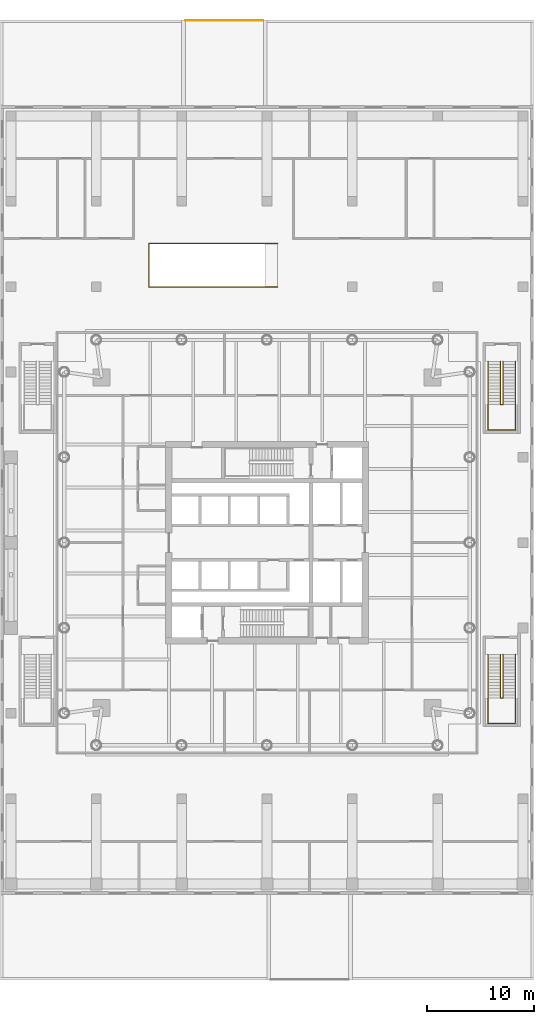
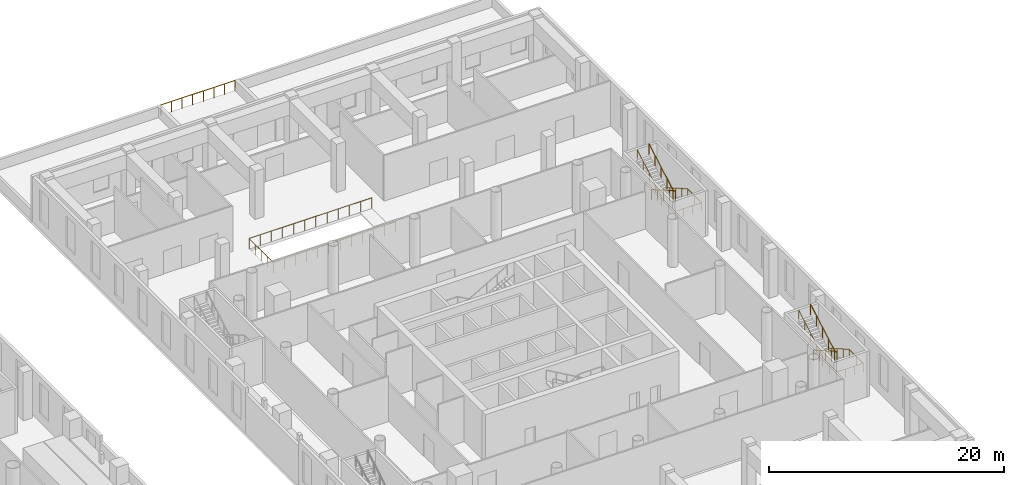
# One storey, part 25 of 26: 6 railings.
"""IFC4 building model written with IfcOpenShell, lengths in metres."""

import ifcopenshell
import ifcopenshell.guid

model = None  # the IFC model being written
_history = None  # IfcOwnerHistory: only IFC2X3 demands one
_inside = {}  # id of a spatial element -> (the spatial element, [elements in it])
_under = {}  # id of a project, library or spatial element -> (it, [spatial elements below it])
_declared = {}  # id of a project -> (the project, [libraries it declares])
_typed = {}  # id of a type object -> (the type object, [elements of that type])
_made_of = {}  # id of a material, layer set ... -> (it, [elements and type objects made of it])


def new_model(schema):
    """Start an empty IFC model of exactly this schema.

    Asked for "IFC4X3", IfcOpenShell would pick the latest addendum, in which some entities
    have other attributes; the version numbers below select the first issue.
    IFC2X3 requires an IfcOwnerHistory on every rooted entity: one is made here for all.
    """
    global model, _history
    if schema == "IFC4X3":
        model = ifcopenshell.file(schema_version=(4, 3, 0, 0))
    else:
        model = ifcopenshell.file(schema=schema)
    _inside.clear()
    _under.clear()
    _declared.clear()
    _typed.clear()
    _made_of.clear()
    _history = None
    if model.schema == "IFC2X3":
        org = make("IfcOrganization", Name="unknown")
        user = make(
            "IfcPersonAndOrganization",
            ThePerson=make("IfcPerson", FamilyName="unknown"),
            TheOrganization=org,
        )
        app = make(
            "IfcApplication",
            ApplicationDeveloper=org,
            Version="unknown",
            ApplicationFullName="unknown",
            ApplicationIdentifier="unknown",
        )
        _history = make(
            "IfcOwnerHistory",
            OwningUser=user,
            OwningApplication=app,
            ChangeAction="ADDED",
            CreationDate=0,
        )
    return model


def make(cls, **values):
    """One entity of the class cls with the attributes given. An attribute that is None is left unset."""
    return model.create_entity(
        cls, **{name: value for name, value in values.items() if value is not None}
    )


def rooted(cls, **values):
    """An entity with a GlobalId (a new one), such as an element, a storey or a relation."""
    return make(cls, GlobalId=ifcopenshell.guid.new(), OwnerHistory=_history, **values)


def si_unit(unit_type, name, prefix=None):
    """IfcSIUnit, for example si_unit("LENGTHUNIT", "METRE", prefix="MILLI")."""
    return make("IfcSIUnit", UnitType=unit_type, Prefix=prefix, Name=name)


def assignment(units):
    """IfcUnitAssignment: the units of a project."""
    return None if units is None else make("IfcUnitAssignment", Units=units)


def point(xyz):
    """IfcCartesianPoint."""
    return None if xyz is None else make("IfcCartesianPoint", Coordinates=xyz)


def direction(xyz):
    """IfcDirection."""
    return None if xyz is None else make("IfcDirection", DirectionRatios=xyz)


def frame(location, z_axis=None, x_axis=None):
    """IfcAxis2Placement3D, a coordinate frame: its origin and axes. An axis left out is left unset."""
    return make(
        "IfcAxis2Placement3D",
        Location=point(location),
        Axis=direction(z_axis),
        RefDirection=direction(x_axis),
    )


def frame_2d(location, x_axis=None):
    """IfcAxis2Placement2D, a coordinate frame in the plane: its origin and x axis."""
    return make(
        "IfcAxis2Placement2D", Location=point(location), RefDirection=direction(x_axis)
    )


def origin():
    """The frame at (0, 0, 0) with its axes left unset."""
    return frame((0.0, 0.0, 0.0))


def origin_2d():
    """The frame at (0, 0) in the plane with its x axis left unset."""
    return frame_2d((0.0, 0.0))


def place(relative_to, where):
    """IfcLocalPlacement: puts the frame where relative to a parent placement (None: the world)."""
    return make(
        "IfcLocalPlacement", PlacementRelTo=relative_to, RelativePlacement=where
    )


def context(
    kind, dimensions, precision=None, world=None, true_north=None, identifier=None
):
    """IfcGeometricRepresentationContext, for example the 3D "Model" context."""
    return make(
        "IfcGeometricRepresentationContext",
        ContextIdentifier=identifier,
        ContextType=kind,
        CoordinateSpaceDimension=dimensions,
        Precision=precision,
        WorldCoordinateSystem=world,
        TrueNorth=true_north,
    )


def subcontext(parent, identifier, kind, view, scale=None):
    """IfcGeometricRepresentationSubContext, for example "Body" below "Model"."""
    return make(
        "IfcGeometricRepresentationSubContext",
        ContextIdentifier=identifier,
        ContextType=kind,
        ParentContext=parent,
        TargetScale=scale,
        TargetView=view,
    )


def project(units=None, contexts=None):
    """IfcProject with its units and contexts."""
    return rooted(
        "IfcProject",
        Name="project",
        RepresentationContexts=contexts,
        UnitsInContext=assignment(units),
    )


def spatial(cls, under=None, at=None, **own):
    """A site, building, storey or space (cls), placed at a placement, below another one or the project."""
    s = rooted(cls, ObjectPlacement=at, **own)
    if under is not None:
        _under.setdefault(under.id(), (under, []))[1].append(s)
    return s


def profile(cls, at=None, kind="AREA", **sizes):
    """A parametric profile (cls). Its sizes go by their IFC names, for example OverallWidth=200.0."""
    return make(cls, ProfileType=kind, Position=at, **sizes)


def circle(**sizes):
    """IfcCircleProfileDef."""
    return profile("IfcCircleProfileDef", **sizes)


def extrude(swept, where, along, depth):
    """IfcExtrudedAreaSolid: the profile swept, set in the frame where, extruded along a direction by depth."""
    return make(
        "IfcExtrudedAreaSolid",
        SweptArea=swept,
        Position=where,
        ExtrudedDirection=direction(along),
        Depth=depth,
    )


def shape(context_of_items, identifier, shape_type, items):
    """IfcShapeRepresentation: the items that make up one representation, for example the "Body"."""
    return make(
        "IfcShapeRepresentation",
        ContextOfItems=context_of_items,
        RepresentationIdentifier=identifier,
        RepresentationType=shape_type,
        Items=items,
    )


def material(Name=None, Category=None):
    """IfcMaterial."""
    return make("IfcMaterial", Name=Name, Category=Category)


def made_of(thing, what):
    """Note that an element or type object is made of a material, layer set ...; save() writes the relation."""
    if what is not None:
        _made_of.setdefault(what.id(), (what, []))[1].append(thing)
    return thing


def type_object(cls, material=None, **own):
    """A type object (cls), such as IfcWallType, which elements share."""
    return made_of(rooted(cls, **own), material)


def element(
    cls,
    number,
    at=None,
    inside=None,
    cuts=None,
    type_object=None,
    material=None,
    context=None,
    identifier="Body",
    shape_type=None,
    held_by="IfcProductDefinitionShape",
    body=None,
    shapes=None,
    **own,
):
    """One element of the class cls, such as IfcWall. Its Tag is "e" and its number.

    at: its placement. inside: the storey or other place that contains it. cuts: it is an
    opening in that element (IfcRelVoidsElement). A single representation is given by context,
    identifier, shape_type and body (its items); several are given by shapes. held_by: the class
    of the entity that holds the representations. save() writes the other relations.
    """
    e = rooted(cls, Tag="e%d" % number, ObjectPlacement=at, **own)
    if body is not None:
        shapes = [shape(context, identifier, shape_type, body)]
    if shapes is not None:
        e.Representation = make(held_by, Representations=shapes)
    if inside is not None:
        _inside.setdefault(inside.id(), (inside, []))[1].append(e)
    if cuts is not None:
        rooted(
            "IfcRelVoidsElement", RelatingBuildingElement=cuts, RelatedOpeningElement=e
        )
    if type_object is not None:
        _typed.setdefault(type_object.id(), (type_object, []))[1].append(e)
    return made_of(e, material)


def aggregate(whole, parts):
    """IfcRelAggregates: a whole, such as a stair, and the parts it consists of."""
    return rooted("IfcRelAggregates", RelatingObject=whole, RelatedObjects=parts)


def save(model, path):
    """Write the relations noted so far, then the file.

    IfcRelAggregates (storeys below a building ...), IfcRelContainedInSpatialStructure (elements
    in a storey), IfcRelDefinesByType, IfcRelAssociatesMaterial and IfcRelDeclares: one each for
    every whole, place, type object, material and project.
    """
    for whole, parts in _under.values():
        aggregate(whole, parts)
    for where, things in _inside.values():
        rooted(
            "IfcRelContainedInSpatialStructure",
            RelatedElements=things,
            RelatingStructure=where,
        )
    for kind, things in _typed.values():
        rooted("IfcRelDefinesByType", RelatedObjects=things, RelatingType=kind)
    for what, things in _made_of.values():
        rooted("IfcRelAssociatesMaterial", RelatedObjects=things, RelatingMaterial=what)
    for by, libraries in _declared.values():
        rooted("IfcRelDeclares", RelatingContext=by, RelatedDefinitions=libraries)
    model.write(path)


model = new_model("IFC4")

# Units and contexts
model_context = context("Model", 3, precision=1e-05, world=origin(), true_north=direction((0.0, 1.0)))
body_context = subcontext(model_context, "Body", "Model", "MODEL_VIEW")
ifc_project = project(units=[si_unit("LENGTHUNIT", "METRE"), si_unit("AREAUNIT", "SQUARE_METRE"), si_unit("VOLUMEUNIT", "CUBIC_METRE"), si_unit("PLANEANGLEUNIT", "RADIAN"), si_unit("MASSUNIT", "GRAM", prefix="KILO")], contexts=[model_context])

# Site, building, storey
site_placement = place(None, origin())
site = spatial("IfcSite", under=ifc_project, at=site_placement, CompositionType="ELEMENT")
building_placement = place(site_placement, origin())
building = spatial("IfcBuilding", under=site, at=building_placement, Name="Ostroluk Exchange", CompositionType="ELEMENT")
storey_placement = place(building_placement, frame((0.0, 0.0, 6.0)))
storey = spatial("IfcBuildingStorey", under=building, at=storey_placement, Name="L01", CompositionType="ELEMENT", Elevation=6.0)

# Railings
ifc_material_1 = material(Name="Laminated glass", Category="glass")
railing_type_1 = type_object("IfcRailingType", Name="Glass balustrade guard 1100", PredefinedType="BALUSTRADE", material=ifc_material_1)
railing_1_placement = place(storey_placement, frame((118.0, 69.949951171875, 0.0)))
element("IfcRailing", 1, at=railing_1_placement, inside=storey, type_object=railing_type_1, Name="Escalator ES5 opening guard", PredefinedType="BALUSTRADE", context=body_context, shape_type="SweptSolid", body=[
    extrude(circle(Radius=0.02392578125, at=origin_2d()), frame((0.0, 0.0, 1.076171875), z_axis=(-1.0, 0.0, 0.0), x_axis=(0.0, -1.0, 0.0)), (0.0, 0.0, 1.0), 12.050048828125),
    extrude(circle(Radius=0.02392578125, at=origin_2d()), frame((-12.050048828125, 0.0, 1.076171875), z_axis=(0.0, 1.0, 0.0), x_axis=(-1.0, 0.0, 0.0)), (0.0, 0.0, 1.0), 4.10009765625),
    extrude(circle(Radius=0.02392578125, at=origin_2d()), frame((-12.050048828125, 4.10009765625, 1.076171875), z_axis=(1.0, 0.0, 0.0), x_axis=(0.0, 1.0, 0.0)), (0.0, 0.0, 1.0), 12.050048828125),
    extrude(circle(Radius=0.02099609375, at=origin_2d()), origin(), (0.0, 0.0, 1.0), 1.052001953125),
    extrude(circle(Radius=0.02099609375, at=origin_2d()), frame((-1.095458984375, 0.0, 0.0)), (0.0, 0.0, 1.0), 1.052001953125),
    extrude(circle(Radius=0.02099609375, at=origin_2d()), frame((-2.19091796875, 0.0, 0.0)), (0.0, 0.0, 1.0), 1.052001953125),
    extrude(circle(Radius=0.02099609375, at=origin_2d()), frame((-3.286376953125, 0.0, 0.0)), (0.0, 0.0, 1.0), 1.052001953125),
    extrude(circle(Radius=0.02099609375, at=origin_2d()), frame((-4.3818359375, 0.0, 0.0)), (0.0, 0.0, 1.0), 1.052001953125),
    extrude(circle(Radius=0.02099609375, at=origin_2d()), frame((-5.477294921875, 0.0, 0.0)), (0.0, 0.0, 1.0), 1.052001953125),
    extrude(circle(Radius=0.02099609375, at=origin_2d()), frame((-6.57275390625, 0.0, 0.0)), (0.0, 0.0, 1.0), 1.052001953125),
    extrude(circle(Radius=0.02099609375, at=origin_2d()), frame((-7.668212890625, 0.0, 0.0)), (0.0, 0.0, 1.0), 1.052001953125),
    extrude(circle(Radius=0.02099609375, at=origin_2d()), frame((-8.763671875, 0.0, 0.0)), (0.0, 0.0, 1.0), 1.052001953125),
    extrude(circle(Radius=0.02099609375, at=origin_2d()), frame((-9.859130859375, 0.0, 0.0)), (0.0, 0.0, 1.0), 1.052001953125),
    extrude(circle(Radius=0.02099609375, at=origin_2d()), frame((-10.95458984375, 0.0, 0.0)), (0.0, 0.0, 1.0), 1.052001953125),
    extrude(circle(Radius=0.02099609375, at=origin_2d()), frame((-12.050048828125, 0.0, 0.0)), (0.0, 0.0, 1.0), 1.052001953125),
    extrude(circle(Radius=0.02099609375, at=origin_2d()), frame((-12.050048828125, 1.02490234375, 0.0)), (0.0, 0.0, 1.0), 1.052001953125),
    extrude(circle(Radius=0.02099609375, at=origin_2d()), frame((-12.050048828125, 2.050048828125, 0.0)), (0.0, 0.0, 1.0), 1.052001953125),
    extrude(circle(Radius=0.02099609375, at=origin_2d()), frame((-12.050048828125, 3.0751953125, 0.0)), (0.0, 0.0, 1.0), 1.052001953125),
    extrude(circle(Radius=0.02099609375, at=origin_2d()), frame((-12.050048828125, 4.10009765625, 0.0)), (0.0, 0.0, 1.0), 1.052001953125),
    extrude(circle(Radius=0.02099609375, at=origin_2d()), frame((-10.95458984375, 4.10009765625, 0.0)), (0.0, 0.0, 1.0), 1.052001953125),
    extrude(circle(Radius=0.02099609375, at=origin_2d()), frame((-9.859130859375, 4.10009765625, 0.0)), (0.0, 0.0, 1.0), 1.052001953125),
    extrude(circle(Radius=0.02099609375, at=origin_2d()), frame((-8.763671875, 4.10009765625, 0.0)), (0.0, 0.0, 1.0), 1.052001953125),
    extrude(circle(Radius=0.02099609375, at=origin_2d()), frame((-7.668212890625, 4.10009765625, 0.0)), (0.0, 0.0, 1.0), 1.052001953125),
    extrude(circle(Radius=0.02099609375, at=origin_2d()), frame((-6.57275390625, 4.10009765625, 0.0)), (0.0, 0.0, 1.0), 1.052001953125),
    extrude(circle(Radius=0.02099609375, at=origin_2d()), frame((-5.477294921875, 4.10009765625, 0.0)), (0.0, 0.0, 1.0), 1.052001953125),
    extrude(circle(Radius=0.02099609375, at=origin_2d()), frame((-4.3818359375, 4.10009765625, 0.0)), (0.0, 0.0, 1.0), 1.052001953125),
    extrude(circle(Radius=0.02099609375, at=origin_2d()), frame((-3.286376953125, 4.10009765625, 0.0)), (0.0, 0.0, 1.0), 1.052001953125),
    extrude(circle(Radius=0.02099609375, at=origin_2d()), frame((-2.19091796875, 4.10009765625, 0.0)), (0.0, 0.0, 1.0), 1.052001953125),
    extrude(circle(Radius=0.02099609375, at=origin_2d()), frame((-1.095458984375, 4.10009765625, 0.0)), (0.0, 0.0, 1.0), 1.052001953125),
    extrude(circle(Radius=0.02099609375, at=origin_2d()), frame((0.0, 4.10009765625, 0.0)), (0.0, 0.0, 1.0), 1.052001953125),
])
ifc_material_2 = material(Name="Stainless steel", Category="steel")
railing_type_2 = type_object("IfcRailingType", Name="Guard 1100 stainless steel", PredefinedType="GUARDRAIL", material=ifc_material_2)
railing_2_placement = place(storey_placement, frame((109.35205078125, 94.949951171875, 0.0)))
element("IfcRailing", 2, at=railing_2_placement, inside=storey, type_object=railing_type_2, Name="Terrace guard L01 1.1", PredefinedType="GUARDRAIL", context=body_context, shape_type="SweptSolid", body=[
    extrude(circle(Radius=0.02392578125, at=origin_2d()), frame((0.0, 0.0, 1.076171875), z_axis=(1.0, 0.0, 0.0), x_axis=(0.0, 1.0, 0.0)), (0.0, 0.0, 1.0), 7.2958984375),
    extrude(circle(Radius=0.02099609375, at=origin_2d()), origin(), (0.0, 0.0, 1.0), 1.052001953125),
    extrude(circle(Radius=0.02099609375, at=origin_2d()), frame((1.042236328125, 0.0, 0.0)), (0.0, 0.0, 1.0), 1.052001953125),
    extrude(circle(Radius=0.02099609375, at=origin_2d()), frame((2.08447265625, 0.0, 0.0)), (0.0, 0.0, 1.0), 1.052001953125),
    extrude(circle(Radius=0.02099609375, at=origin_2d()), frame((3.126708984375, 0.0, 0.0)), (0.0, 0.0, 1.0), 1.052001953125),
    extrude(circle(Radius=0.02099609375, at=origin_2d()), frame((4.169189453125, 0.0, 0.0)), (0.0, 0.0, 1.0), 1.052001953125),
    extrude(circle(Radius=0.02099609375, at=origin_2d()), frame((5.21142578125, 0.0, 0.0)), (0.0, 0.0, 1.0), 1.052001953125),
    extrude(circle(Radius=0.02099609375, at=origin_2d()), frame((6.253662109375, 0.0, 0.0)), (0.0, 0.0, 1.0), 1.052001953125),
    extrude(circle(Radius=0.02099609375, at=origin_2d()), frame((7.2958984375, 0.0, 0.0)), (0.0, 0.0, 1.0), 1.052001953125),
])
ifc_material_3 = material(Name="Steel S355", Category="steel")
railing_type_3 = type_object("IfcRailingType", Name="Stair guard 1100", PredefinedType="GUARDRAIL", material=ifc_material_3)
railing_3_placement = place(storey_placement, frame((139.1298828125, 35.5, 0.166748046875)))
element("IfcRailing", 3, at=railing_3_placement, inside=storey, type_object=railing_type_3, Name="Stair PS7 guard L01", PredefinedType="GUARDRAIL", context=body_context, shape_type="SweptSolid", body=[
    extrude(circle(Radius=0.02392578125, at=origin_2d()), frame((0.0, 0.0, 1.076171875), z_axis=(0.0, -0.867024558463, 0.498265406207), x_axis=(1.0, 0.0, 0.0)), (0.0, 0.0, 1.0), 4.682861328125),
    extrude(circle(Radius=0.02392578125, at=origin_2d()), frame((0.0, -4.06005859375, 3.4091796875), z_axis=(-1.0, 0.0, 0.0), x_axis=(0.0, -1.0, 0.0)), (0.0, 0.0, 1.0), 0.259765625),
    extrude(circle(Radius=0.02392578125, at=origin_2d()), frame((-0.259765625, -4.06005859375, 3.4091796875), z_axis=(0.0, 0.0, 1.0), x_axis=(1.0, 0.0, 0.0)), (0.0, 0.0, 1.0), 0.166748046875),
    extrude(circle(Radius=0.02392578125, at=origin_2d()), frame((-0.259765625, -4.06005859375, 3.576171875), z_axis=(0.0, 0.867024558463, 0.498265406207), x_axis=(-1.0, 0.0, 0.0)), (0.0, 0.0, 1.0), 4.682861328125),
    extrude(circle(Radius=0.02099609375, at=origin_2d()), origin(), (0.0, 0.0, 1.0), 1.052001953125),
    extrude(circle(Radius=0.02099609375, at=origin_2d()), frame((0.0, -1.01513671875, 0.583251953125)), (0.0, 0.0, 1.0), 1.052001953125),
    extrude(circle(Radius=0.02099609375, at=origin_2d()), frame((0.0, -2.030029296875, 1.16650390625)), (0.0, 0.0, 1.0), 1.052001953125),
    extrude(circle(Radius=0.02099609375, at=origin_2d()), frame((0.0, -3.044921875, 1.75)), (0.0, 0.0, 1.0), 1.052001953125),
    extrude(circle(Radius=0.02099609375, at=origin_2d()), frame((0.0, -4.06005859375, 2.333251953125)), (0.0, 0.0, 1.0), 1.052001953125),
    extrude(circle(Radius=0.02099609375, at=origin_2d()), frame((-0.259765625, -4.06005859375, 2.333251953125)), (0.0, 0.0, 1.0), 1.052001953125),
    extrude(circle(Radius=0.02099609375, at=origin_2d()), frame((-0.259765625, -4.06005859375, 2.5)), (0.0, 0.0, 1.0), 1.052001953125),
    extrude(circle(Radius=0.02099609375, at=origin_2d()), frame((-0.259765625, -3.044921875, 3.083251953125)), (0.0, 0.0, 1.0), 1.052001953125),
    extrude(circle(Radius=0.02099609375, at=origin_2d()), frame((-0.259765625, -2.030029296875, 3.66650390625)), (0.0, 0.0, 1.0), 1.052001953125),
    extrude(circle(Radius=0.02099609375, at=origin_2d()), frame((-0.259765625, -1.01513671875, 4.25)), (0.0, 0.0, 1.0), 1.052001953125),
    extrude(circle(Radius=0.02099609375, at=origin_2d()), frame((-0.259765625, 0.0, 4.833251953125)), (0.0, 0.0, 1.0), 1.052001953125),
])
railing_4_placement = place(storey_placement, frame((139.1298828125, 63.0, 0.166748046875)))
element("IfcRailing", 4, at=railing_4_placement, inside=storey, type_object=railing_type_3, Name="Stair PS8 guard L01", PredefinedType="GUARDRAIL", context=body_context, shape_type="SweptSolid", body=[
    extrude(circle(Radius=0.02392578125, at=origin_2d()), frame((0.0, 0.0, 1.076171875), z_axis=(0.0, -0.867024558463, 0.498265406207), x_axis=(1.0, 0.0, 0.0)), (0.0, 0.0, 1.0), 4.682861328125),
    extrude(circle(Radius=0.02392578125, at=origin_2d()), frame((0.0, -4.06005859375, 3.4091796875), z_axis=(-1.0, 0.0, 0.0), x_axis=(0.0, -1.0, 0.0)), (0.0, 0.0, 1.0), 0.259765625),
    extrude(circle(Radius=0.02392578125, at=origin_2d()), frame((-0.259765625, -4.06005859375, 3.4091796875), z_axis=(0.0, 0.0, 1.0), x_axis=(1.0, 0.0, 0.0)), (0.0, 0.0, 1.0), 0.166748046875),
    extrude(circle(Radius=0.02392578125, at=origin_2d()), frame((-0.259765625, -4.06005859375, 3.576171875), z_axis=(0.0, 0.867024558463, 0.498265406207), x_axis=(-1.0, 0.0, 0.0)), (0.0, 0.0, 1.0), 4.682861328125),
    extrude(circle(Radius=0.02099609375, at=origin_2d()), origin(), (0.0, 0.0, 1.0), 1.052001953125),
    extrude(circle(Radius=0.02099609375, at=origin_2d()), frame((0.0, -1.01513671875, 0.583251953125)), (0.0, 0.0, 1.0), 1.052001953125),
    extrude(circle(Radius=0.02099609375, at=origin_2d()), frame((0.0, -2.030029296875, 1.16650390625)), (0.0, 0.0, 1.0), 1.052001953125),
    extrude(circle(Radius=0.02099609375, at=origin_2d()), frame((0.0, -3.044921875, 1.75)), (0.0, 0.0, 1.0), 1.052001953125),
    extrude(circle(Radius=0.02099609375, at=origin_2d()), frame((0.0, -4.06005859375, 2.333251953125)), (0.0, 0.0, 1.0), 1.052001953125),
    extrude(circle(Radius=0.02099609375, at=origin_2d()), frame((-0.259765625, -4.06005859375, 2.333251953125)), (0.0, 0.0, 1.0), 1.052001953125),
    extrude(circle(Radius=0.02099609375, at=origin_2d()), frame((-0.259765625, -4.06005859375, 2.5)), (0.0, 0.0, 1.0), 1.052001953125),
    extrude(circle(Radius=0.02099609375, at=origin_2d()), frame((-0.259765625, -3.044921875, 3.083251953125)), (0.0, 0.0, 1.0), 1.052001953125),
    extrude(circle(Radius=0.02099609375, at=origin_2d()), frame((-0.259765625, -2.030029296875, 3.66650390625)), (0.0, 0.0, 1.0), 1.052001953125),
    extrude(circle(Radius=0.02099609375, at=origin_2d()), frame((-0.259765625, -1.01513671875, 4.25)), (0.0, 0.0, 1.0), 1.052001953125),
    extrude(circle(Radius=0.02099609375, at=origin_2d()), frame((-0.259765625, 0.0, 4.833251953125)), (0.0, 0.0, 1.0), 1.052001953125),
])
ifc_material_4 = material(Name="Stainless steel", Category="steel")
railing_type_4 = type_object("IfcRailingType", Name="Stair handrail 900", PredefinedType="HANDRAIL", material=ifc_material_4)
railing_5_placement = place(storey_placement, frame((140.300048828125, 35.5, 0.166748046875)))
element("IfcRailing", 5, at=railing_5_placement, inside=storey, type_object=railing_type_4, Name="Stair PS7 handrail L01", PredefinedType="HANDRAIL", context=body_context, shape_type="SweptSolid", body=[
    extrude(circle(Radius=0.02392578125, at=origin_2d()), frame((0.0, 0.0, 0.8759765625), z_axis=(0.0, -0.867024558463, 0.498265406207), x_axis=(1.0, 0.0, 0.0)), (0.0, 0.0, 1.0), 4.682861328125),
    extrude(circle(Radius=0.02392578125, at=origin_2d()), frame((0.0, -4.06005859375, 3.208984375), z_axis=(0.0, -1.0, 0.0), x_axis=(1.0, 0.0, 0.0)), (0.0, 0.0, 1.0), 2.389892578125),
    extrude(circle(Radius=0.02392578125, at=origin_2d()), frame((0.0, -6.449951171875, 3.208984375), z_axis=(-1.0, 0.0, 0.0), x_axis=(0.0, -1.0, 0.0)), (0.0, 0.0, 1.0), 2.60009765625),
    extrude(circle(Radius=0.02392578125, at=origin_2d()), frame((-2.60009765625, -6.449951171875, 3.208984375), z_axis=(0.0, 1.0, 0.0), x_axis=(-1.0, 0.0, 0.0)), (0.0, 0.0, 1.0), 2.389892578125),
    extrude(circle(Radius=0.02392578125, at=origin_2d()), frame((-2.60009765625, -4.06005859375, 3.208984375), z_axis=(0.0, 0.0, 1.0), x_axis=(1.0, 0.0, 0.0)), (0.0, 0.0, 1.0), 0.166748046875),
    extrude(circle(Radius=0.02392578125, at=origin_2d()), frame((-2.60009765625, -4.06005859375, 3.3759765625), z_axis=(0.0, 0.867024558463, 0.498265406207), x_axis=(-1.0, 0.0, 0.0)), (0.0, 0.0, 1.0), 4.682861328125),
    extrude(circle(Radius=0.02099609375, at=origin_2d()), origin(), (0.0, 0.0, 1.0), 0.851806640625),
    extrude(circle(Radius=0.02099609375, at=origin_2d()), frame((0.0, -1.01513671875, 0.583251953125)), (0.0, 0.0, 1.0), 0.851806640625),
    extrude(circle(Radius=0.02099609375, at=origin_2d()), frame((0.0, -2.030029296875, 1.16650390625)), (0.0, 0.0, 1.0), 0.851806640625),
    extrude(circle(Radius=0.02099609375, at=origin_2d()), frame((0.0, -3.044921875, 1.75)), (0.0, 0.0, 1.0), 0.851806640625),
    extrude(circle(Radius=0.02099609375, at=origin_2d()), frame((0.0, -4.06005859375, 2.333251953125)), (0.0, 0.0, 1.0), 0.851806640625),
    extrude(circle(Radius=0.02099609375, at=origin_2d()), frame((0.0, -5.2548828125, 2.333251953125)), (0.0, 0.0, 1.0), 0.851806640625),
    extrude(circle(Radius=0.02099609375, at=origin_2d()), frame((0.0, -6.449951171875, 2.333251953125)), (0.0, 0.0, 1.0), 0.851806640625),
    extrude(circle(Radius=0.02099609375, at=origin_2d()), frame((-0.86669921875, -6.449951171875, 2.333251953125)), (0.0, 0.0, 1.0), 0.851806640625),
    extrude(circle(Radius=0.02099609375, at=origin_2d()), frame((-1.7333984375, -6.449951171875, 2.333251953125)), (0.0, 0.0, 1.0), 0.851806640625),
    extrude(circle(Radius=0.02099609375, at=origin_2d()), frame((-2.60009765625, -6.449951171875, 2.333251953125)), (0.0, 0.0, 1.0), 0.851806640625),
    extrude(circle(Radius=0.02099609375, at=origin_2d()), frame((-2.60009765625, -5.2548828125, 2.333251953125)), (0.0, 0.0, 1.0), 0.851806640625),
    extrude(circle(Radius=0.02099609375, at=origin_2d()), frame((-2.60009765625, -4.06005859375, 2.333251953125)), (0.0, 0.0, 1.0), 0.851806640625),
    extrude(circle(Radius=0.02099609375, at=origin_2d()), frame((-2.60009765625, -4.06005859375, 2.5)), (0.0, 0.0, 1.0), 0.851806640625),
    extrude(circle(Radius=0.02099609375, at=origin_2d()), frame((-2.60009765625, -3.044921875, 3.083251953125)), (0.0, 0.0, 1.0), 0.851806640625),
    extrude(circle(Radius=0.02099609375, at=origin_2d()), frame((-2.60009765625, -2.030029296875, 3.66650390625)), (0.0, 0.0, 1.0), 0.851806640625),
    extrude(circle(Radius=0.02099609375, at=origin_2d()), frame((-2.60009765625, -1.01513671875, 4.25)), (0.0, 0.0, 1.0), 0.851806640625),
    extrude(circle(Radius=0.02099609375, at=origin_2d()), frame((-2.60009765625, 0.0, 4.833251953125)), (0.0, 0.0, 1.0), 0.851806640625),
])
railing_6_placement = place(storey_placement, frame((140.300048828125, 63.0, 0.166748046875)))
element("IfcRailing", 6, at=railing_6_placement, inside=storey, type_object=railing_type_4, Name="Stair PS8 handrail L01", PredefinedType="HANDRAIL", context=body_context, shape_type="SweptSolid", body=[
    extrude(circle(Radius=0.02392578125, at=origin_2d()), frame((0.0, 0.0, 0.8759765625), z_axis=(0.0, -0.867024558463, 0.498265406207), x_axis=(1.0, 0.0, 0.0)), (0.0, 0.0, 1.0), 4.682861328125),
    extrude(circle(Radius=0.02392578125, at=origin_2d()), frame((0.0, -4.06005859375, 3.208984375), z_axis=(0.0, -1.0, 0.0), x_axis=(1.0, 0.0, 0.0)), (0.0, 0.0, 1.0), 2.389892578125),
    extrude(circle(Radius=0.02392578125, at=origin_2d()), frame((0.0, -6.449951171875, 3.208984375), z_axis=(-1.0, 0.0, 0.0), x_axis=(0.0, -1.0, 0.0)), (0.0, 0.0, 1.0), 2.60009765625),
    extrude(circle(Radius=0.02392578125, at=origin_2d()), frame((-2.60009765625, -6.449951171875, 3.208984375), z_axis=(0.0, 1.0, 0.0), x_axis=(-1.0, 0.0, 0.0)), (0.0, 0.0, 1.0), 2.389892578125),
    extrude(circle(Radius=0.02392578125, at=origin_2d()), frame((-2.60009765625, -4.06005859375, 3.208984375), z_axis=(0.0, 0.0, 1.0), x_axis=(1.0, 0.0, 0.0)), (0.0, 0.0, 1.0), 0.166748046875),
    extrude(circle(Radius=0.02392578125, at=origin_2d()), frame((-2.60009765625, -4.06005859375, 3.3759765625), z_axis=(0.0, 0.867024558463, 0.498265406207), x_axis=(-1.0, 0.0, 0.0)), (0.0, 0.0, 1.0), 4.682861328125),
    extrude(circle(Radius=0.02099609375, at=origin_2d()), origin(), (0.0, 0.0, 1.0), 0.851806640625),
    extrude(circle(Radius=0.02099609375, at=origin_2d()), frame((0.0, -1.01513671875, 0.583251953125)), (0.0, 0.0, 1.0), 0.851806640625),
    extrude(circle(Radius=0.02099609375, at=origin_2d()), frame((0.0, -2.030029296875, 1.16650390625)), (0.0, 0.0, 1.0), 0.851806640625),
    extrude(circle(Radius=0.02099609375, at=origin_2d()), frame((0.0, -3.044921875, 1.75)), (0.0, 0.0, 1.0), 0.851806640625),
    extrude(circle(Radius=0.02099609375, at=origin_2d()), frame((0.0, -4.06005859375, 2.333251953125)), (0.0, 0.0, 1.0), 0.851806640625),
    extrude(circle(Radius=0.02099609375, at=origin_2d()), frame((0.0, -5.2548828125, 2.333251953125)), (0.0, 0.0, 1.0), 0.851806640625),
    extrude(circle(Radius=0.02099609375, at=origin_2d()), frame((0.0, -6.449951171875, 2.333251953125)), (0.0, 0.0, 1.0), 0.851806640625),
    extrude(circle(Radius=0.02099609375, at=origin_2d()), frame((-0.86669921875, -6.449951171875, 2.333251953125)), (0.0, 0.0, 1.0), 0.851806640625),
    extrude(circle(Radius=0.02099609375, at=origin_2d()), frame((-1.7333984375, -6.449951171875, 2.333251953125)), (0.0, 0.0, 1.0), 0.851806640625),
    extrude(circle(Radius=0.02099609375, at=origin_2d()), frame((-2.60009765625, -6.449951171875, 2.333251953125)), (0.0, 0.0, 1.0), 0.851806640625),
    extrude(circle(Radius=0.02099609375, at=origin_2d()), frame((-2.60009765625, -5.2548828125, 2.333251953125)), (0.0, 0.0, 1.0), 0.851806640625),
    extrude(circle(Radius=0.02099609375, at=origin_2d()), frame((-2.60009765625, -4.06005859375, 2.333251953125)), (0.0, 0.0, 1.0), 0.851806640625),
    extrude(circle(Radius=0.02099609375, at=origin_2d()), frame((-2.60009765625, -4.06005859375, 2.5)), (0.0, 0.0, 1.0), 0.851806640625),
    extrude(circle(Radius=0.02099609375, at=origin_2d()), frame((-2.60009765625, -3.044921875, 3.083251953125)), (0.0, 0.0, 1.0), 0.851806640625),
    extrude(circle(Radius=0.02099609375, at=origin_2d()), frame((-2.60009765625, -2.030029296875, 3.66650390625)), (0.0, 0.0, 1.0), 0.851806640625),
    extrude(circle(Radius=0.02099609375, at=origin_2d()), frame((-2.60009765625, -1.01513671875, 4.25)), (0.0, 0.0, 1.0), 0.851806640625),
    extrude(circle(Radius=0.02099609375, at=origin_2d()), frame((-2.60009765625, 0.0, 4.833251953125)), (0.0, 0.0, 1.0), 0.851806640625),
])

save(model, "model.ifc")
